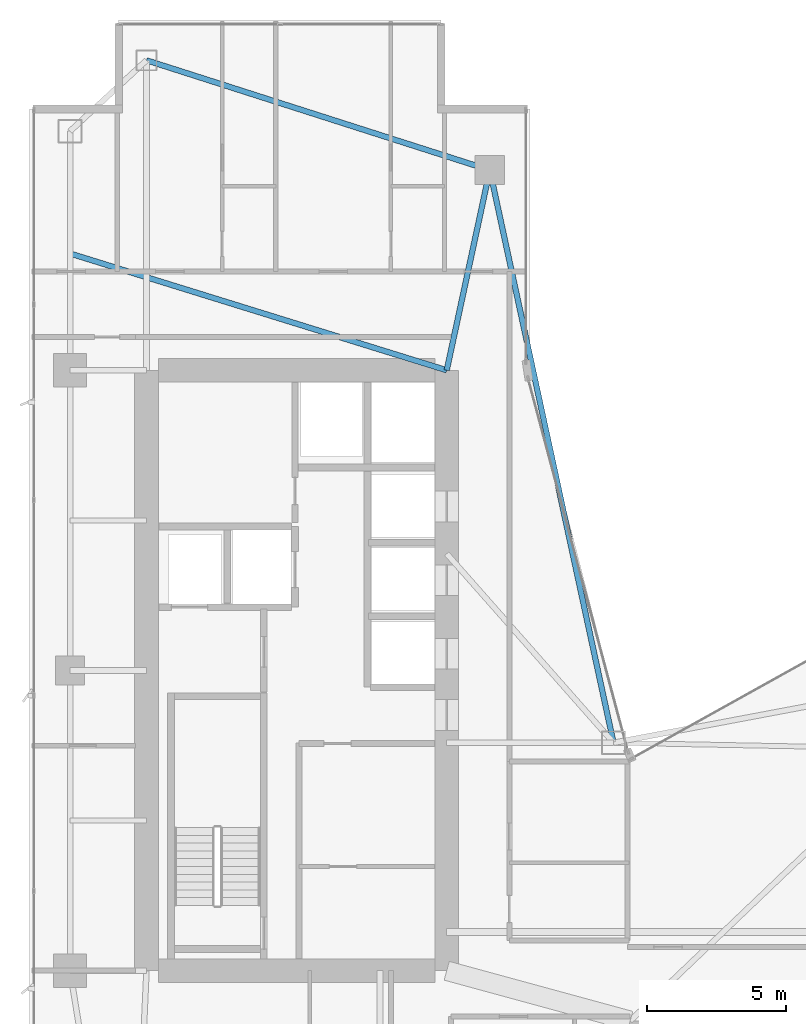
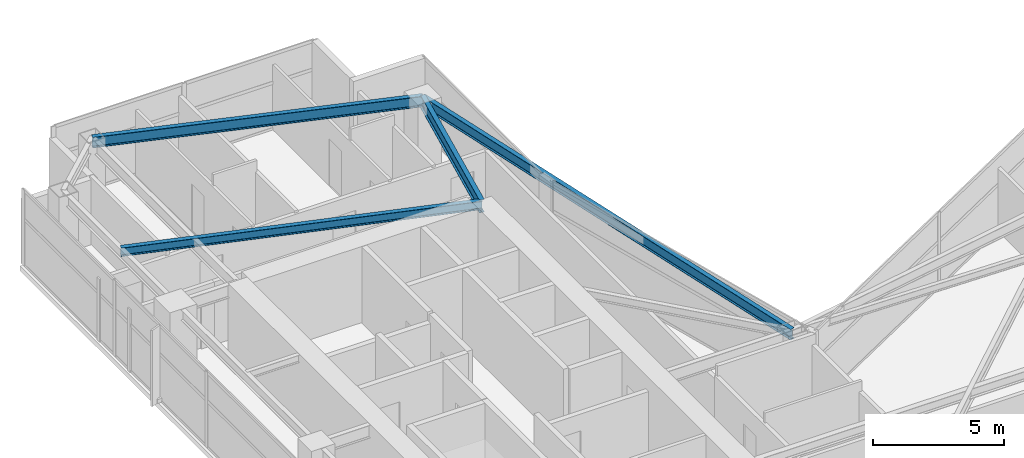
# One storey, part 17 of 28: 4 beams.
"""IFC4 building model written with IfcOpenShell, lengths in metres."""

from ifc_helpers import new_model, si_unit, direction, frame, origin, origin_2d, place, context, subcontext, project, spatial, i_section, extrude, material, material_profile, profile_set, type_object, element, save


model = new_model("IFC4")

# Units and contexts
model_context = context("Model", 3, precision=1e-05, world=origin(), true_north=direction((0.0, 1.0)))
body_context = subcontext(model_context, "Body", "Model", "MODEL_VIEW")
ifc_project = project(units=[si_unit("LENGTHUNIT", "METRE"), si_unit("AREAUNIT", "SQUARE_METRE"), si_unit("VOLUMEUNIT", "CUBIC_METRE"), si_unit("PLANEANGLEUNIT", "RADIAN"), si_unit("MASSUNIT", "GRAM", prefix="KILO")], contexts=[model_context])

# Site, building, storey
site_placement = place(None, origin())
site = spatial("IfcSite", under=ifc_project, at=site_placement, CompositionType="ELEMENT")
building_placement = place(site_placement, origin())
building = spatial("IfcBuilding", under=site, at=building_placement, Name="Calvorn Quay Hotel", CompositionType="ELEMENT")
storey_placement = place(building_placement, frame((0.0, 0.0, 152.300048828125)))
storey = spatial("IfcBuildingStorey", under=building, at=storey_placement, Name="L37", CompositionType="ELEMENT", Elevation=152.300048828125)

# Beams
ifc_material_1 = material(Name="Steel Q355B", Category="steel")
ifc_material_profile_1 = material_profile(ifc_material_1, i_section(OverallWidth=0.199951171875, OverallDepth=0.60009765625, WebThickness=0.010986328125, FlangeThickness=0.01708984375, FilletRadius=0.01806640625, at=origin_2d()), Name="HN600x200x11x17")
ifc_profile_set_1 = profile_set([ifc_material_profile_1], Name="Steel Q355B")
beam_type_1 = type_object("IfcBeamType", Name="BM-GIRD-TYP", PredefinedType="BEAM", material=ifc_profile_set_1)
beam_1_placement = place(storey_placement, frame((16.550048828125, 45.60009765625, 3.239990234375), z_axis=(-0.210457140491, -0.97760308511, 0.0), x_axis=(0.97760308511, -0.210457140491, 0.0)))
element("IfcBeam", 1, at=beam_1_placement, inside=storey, type_object=beam_type_1, Name="Beam BG-L37-W6", PredefinedType="BEAM", context=body_context, shape_type="SweptSolid", body=[
    extrude(i_section(OverallWidth=0.199951171875, OverallDepth=0.60009765625, WebThickness=0.010986328125, FlangeThickness=0.01708984375, FilletRadius=0.01806640625, at=origin_2d()), origin(), (0.0, 0.0, 1.0), 7.365234375),
])
ifc_material_2 = material(Name="Steel Q355B", Category="steel")
ifc_material_profile_2 = material_profile(ifc_material_2, i_section(OverallWidth=0.199951171875, OverallDepth=0.39990234375, WebThickness=0.008056640625, FlangeThickness=0.012939453125, FilletRadius=0.01611328125, at=origin_2d()), Name="HN400x200x8x13")
ifc_profile_set_2 = profile_set([ifc_material_profile_2], Name="Steel Q355B")
beam_type_2 = type_object("IfcBeamType", Name="BM-JOIST-TYP", PredefinedType="JOIST", material=ifc_profile_set_2)
beam_2_placement = place(storey_placement, frame((1.449951171875, 42.60009765625, 3.33984375), z_axis=(0.955163702122, -0.296078202759, 0.0), x_axis=(0.296078202759, 0.955163702122, 0.0)))
element("IfcBeam", 2, at=beam_2_placement, inside=storey, type_object=beam_type_2, Name="Beam BJ-L37-W2", PredefinedType="JOIST", context=body_context, shape_type="SweptSolid", body=[
    extrude(i_section(OverallWidth=0.199951171875, OverallDepth=0.39990234375, WebThickness=0.008056640625, FlangeThickness=0.012939453125, FilletRadius=0.01611328125, at=origin_2d()), origin(), (0.0, 0.0, 1.0), 14.18603515625),
])
ifc_material_3 = material(Name="Steel Q355B", Category="steel")
ifc_material_profile_3 = material_profile(ifc_material_3, i_section(OverallWidth=0.199951171875, OverallDepth=0.5, WebThickness=0.010009765625, FlangeThickness=0.01611328125, FilletRadius=0.01611328125, at=origin_2d()), Name="HN500x200x10x16")
ifc_profile_set_3 = profile_set([ifc_material_profile_3], Name="Steel Q355B")
beam_type_3 = type_object("IfcBeamType", Name="BM-SPANDREL-Z1", PredefinedType="SPANDREL", material=ifc_profile_set_3)
beam_3_placement = place(storey_placement, frame((4.199951171875, 49.550048828125, 3.2900390625), z_axis=(0.952470702374, -0.304630203885, 0.0), x_axis=(0.304630203885, 0.952470702374, 0.0)))
element("IfcBeam", 3, at=beam_3_placement, inside=storey, type_object=beam_type_3, Name="Beam BSP-L37-W6", PredefinedType="SPANDREL", context=body_context, shape_type="SweptSolid", body=[
    extrude(i_section(OverallWidth=0.199951171875, OverallDepth=0.5, WebThickness=0.010009765625, FlangeThickness=0.01611328125, FilletRadius=0.01611328125, at=origin_2d()), origin(), (0.0, 0.0, 1.0), 12.96630859375),
])
beam_4_placement = place(storey_placement, frame((16.550048828125, 45.60009765625, 3.2900390625), z_axis=(0.211145848376, -0.977454567084, 0.0), x_axis=(0.977454567084, 0.211145848376, 0.0)))
element("IfcBeam", 4, at=beam_4_placement, inside=storey, type_object=beam_type_3, Name="Beam BSP-L37-W7", PredefinedType="SPANDREL", context=body_context, shape_type="SweptSolid", body=[
    extrude(i_section(OverallWidth=0.199951171875, OverallDepth=0.5, WebThickness=0.010009765625, FlangeThickness=0.01611328125, FilletRadius=0.01611328125, at=origin_2d()), origin(), (0.0, 0.0, 1.0), 21.0751953125),
])

save(model, "model.ifc")
